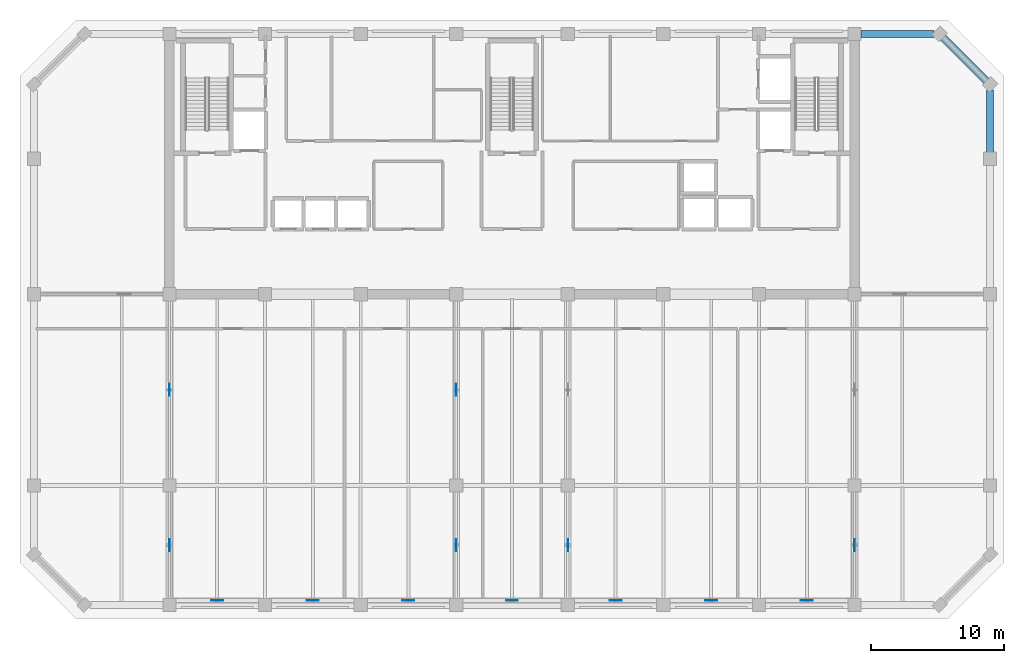
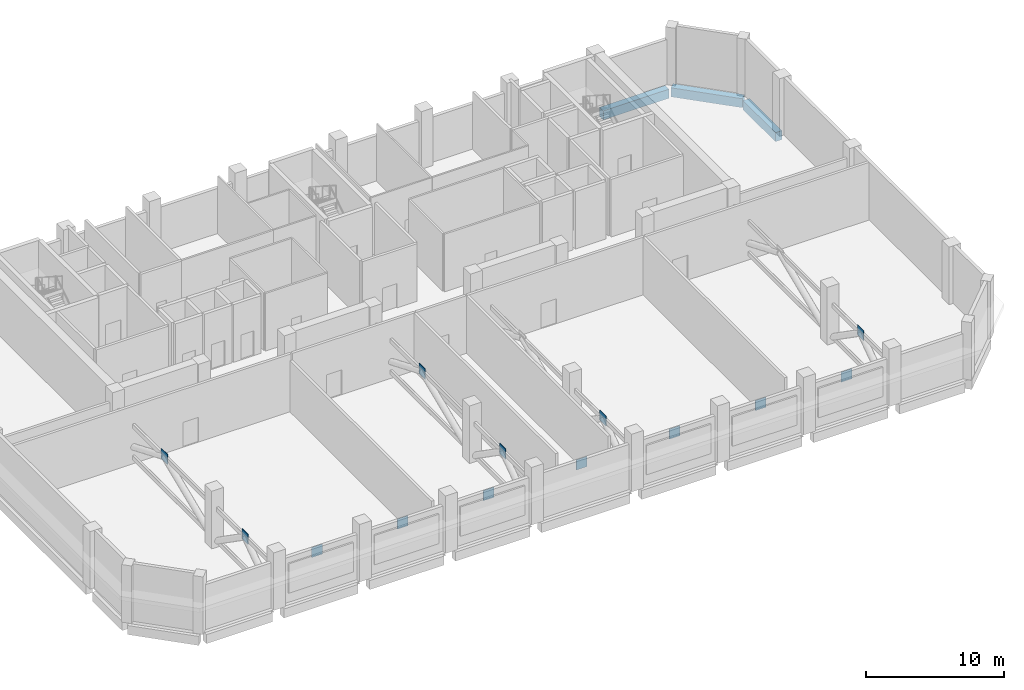
# One storey, part 3 of 11: 13 plates, 3 beams.
"""IFC4 building model written with IfcOpenShell, lengths in metres."""

from ifc_helpers import new_model, si_unit, direction, frame, origin, origin_2d, place, context, subcontext, project, spatial, rectangle, extrude, material, layer, layer_set, material_profile, profile_set, type_object, element, save


model = new_model("IFC4")

# Units and contexts
model_context = context("Model", 3, precision=1e-05, world=origin(), true_north=direction((0.0, 1.0)))
body_context = subcontext(model_context, "Body", "Model", "MODEL_VIEW")
ifc_project = project(units=[si_unit("LENGTHUNIT", "METRE"), si_unit("AREAUNIT", "SQUARE_METRE"), si_unit("VOLUMEUNIT", "CUBIC_METRE"), si_unit("PLANEANGLEUNIT", "RADIAN"), si_unit("MASSUNIT", "GRAM", prefix="KILO")], contexts=[model_context])

# Site, building, storey
site_placement = place(None, origin())
site = spatial("IfcSite", under=ifc_project, at=site_placement, CompositionType="ELEMENT")
building_placement = place(site_placement, origin())
building = spatial("IfcBuilding", under=site, at=building_placement, Name="Kaelvorn Grand Hotel", CompositionType="ELEMENT")
storey_placement = place(building_placement, frame((0.0, 0.0, 280.5)))
storey = spatial("IfcBuildingStorey", under=building, at=storey_placement, Name="L69", CompositionType="ELEMENT", Elevation=280.5)

# Beams
ifc_material_1 = material(Name="Concrete C50/60", Category="concrete")
ifc_material_profile = material_profile(ifc_material_1, rectangle(XDim=0.550048828125, YDim=0.800048828125, at=origin_2d()), Name="RC SPANDREL 550x800")
ifc_profile_set = profile_set([ifc_material_profile], Name="Concrete C50/60")
beam_type = type_object("IfcBeamType", Name="BM-SP-550x800-C50", PredefinedType="SPANDREL", material=ifc_profile_set)
beam_1_placement = place(storey_placement, frame((68.284912109375, 49.0, -0.75), z_axis=(1.0, 0.0, 0.0), x_axis=(0.0, 1.0, 0.0)))
element("IfcBeam", 1, at=beam_1_placement, inside=storey, type_object=beam_type, Name="L69 North Perimeter Spandrel 09", PredefinedType="SPANDREL", context=body_context, shape_type="SweptSolid", body=[
    extrude(rectangle(XDim=0.550048828125, YDim=0.800048828125, at=origin_2d()), origin(), (0.0, 0.0, 1.0), 5.510009765625),
])
beam_2_placement = place(storey_placement, frame((78.0, 40.0849609375, -0.75), z_axis=(0.0, 1.0, 0.0), x_axis=(-1.0, 0.0, 0.0)))
element("IfcBeam", 2, at=beam_2_placement, inside=storey, type_object=beam_type, Name="L69 East Perimeter Spandrel 04", PredefinedType="SPANDREL", context=body_context, shape_type="SweptSolid", body=[
    extrude(rectangle(XDim=0.550048828125, YDim=0.800048828125, at=origin_2d()), origin(), (0.0, 0.0, 1.0), 4.7099609375),
])
beam_3_placement = place(storey_placement, frame((78.0, 45.199951171875, -0.75), z_axis=(-0.707106781187, 0.707106781187, 0.0), x_axis=(-0.707106781187, -0.707106781187, 0.0)))
element("IfcBeam", 3, at=beam_3_placement, inside=storey, type_object=beam_type, Name="L69 Chamfer Spandrel Beam 2", PredefinedType="SPANDREL", context=body_context, shape_type="SweptSolid", body=[
    extrude(rectangle(XDim=0.550048828125, YDim=0.800048828125, at=origin_2d()), origin(), (0.0, 0.0, 1.0), 5.3740234375),
])

# Plates
ifc_material_2 = material(Name="Steel S460", Category="steel")
ifc_layer = layer(ifc_material_2, 0.0400390625)
ifc_layer_set = layer_set([ifc_layer], Name="Steel S460")
plate_type = type_object("IfcPlateType", Name="PL-GUSSET-40-S460", PredefinedType="USERDEFINED", material=ifc_layer_set)
for number, where, z_axis, x_axis, name in (
    (4, (16.199951171875, 10.5, 2.900146484375), (0.0, 0.0, 1.0), (1.0, 0.0, 0.0), "L69 Outrigger Gusset End-Cap Plate 1.1"),
    (5, (16.199951171875, 22.199951171875, 2.900146484375), (0.0, 0.0, 1.0), (1.0, 0.0, 0.0), "L69 Outrigger Gusset End-Cap Plate 1.2"),
    (6, (37.800048828125, 10.5, 2.900146484375), (0.0, 0.0, 1.0), (1.0, 0.0, 0.0), "L69 Outrigger Gusset End-Cap Plate 2.1"),
    (7, (37.800048828125, 22.199951171875, 2.900146484375), (0.0, 0.0, 1.0), (1.0, 0.0, 0.0), "L69 Outrigger Gusset End-Cap Plate 2.2"),
    (8, (46.199951171875, 10.5, 2.900146484375), (0.0, 0.0, 1.0), (1.0, 0.0, 0.0), "L69 Outrigger Gusset End-Cap Plate 3.1"),
    (9, (67.800048828125, 10.5, 2.900146484375), (0.0, 0.0, 1.0), (1.0, 0.0, 0.0), "L69 Outrigger Gusset End-Cap Plate 4.1"),
):
    element("IfcPlate", number, at=place(storey_placement, frame(where, z_axis=z_axis, x_axis=x_axis)), inside=storey, type_object=plate_type, Name=name, ObjectType="GUSSET_PLATE", PredefinedType="USERDEFINED", context=body_context, shape_type="SweptSolid", body=[
        extrude(rectangle(XDim=0.0400390625, YDim=0.89990234375, at=origin_2d()), origin(), (0.0, 0.0, 1.0), 0.89990234375),
    ])
for number, where, z_axis, x_axis, name in (
    (10, (19.800048828125, 6.340087890625, 2.900146484375), (0.0, 0.0, 1.0), (1.0, 0.0, 0.0), "L69 Belt Truss Node Gusset Plate 1"),
    (11, (27.0, 6.340087890625, 2.900146484375), (0.0, 0.0, 1.0), (1.0, 0.0, 0.0), "L69 Belt Truss Node Gusset Plate 2"),
    (12, (34.199951171875, 6.340087890625, 2.900146484375), (0.0, 0.0, 1.0), (1.0, 0.0, 0.0), "L69 Belt Truss Node Gusset Plate 3"),
    (13, (42.0, 6.340087890625, 2.900146484375), (0.0, 0.0, 1.0), (1.0, 0.0, 0.0), "L69 Belt Truss Node Gusset Plate 4"),
    (14, (49.800048828125, 6.340087890625, 2.900146484375), (0.0, 0.0, 1.0), (1.0, 0.0, 0.0), "L69 Belt Truss Node Gusset Plate 5"),
    (15, (57.0, 6.340087890625, 2.900146484375), (0.0, 0.0, 1.0), (1.0, 0.0, 0.0), "L69 Belt Truss Node Gusset Plate 6"),
    (16, (64.199951171875, 6.340087890625, 2.900146484375), (0.0, 0.0, 1.0), (1.0, 0.0, 0.0), "L69 Belt Truss Node Gusset Plate 7"),
):
    element("IfcPlate", number, at=place(storey_placement, frame(where, z_axis=z_axis, x_axis=x_axis)), inside=storey, type_object=plate_type, Name=name, ObjectType="GUSSET_PLATE", PredefinedType="USERDEFINED", context=body_context, shape_type="SweptSolid", body=[
        extrude(rectangle(XDim=0.89990234375, YDim=0.0400390625, at=origin_2d()), origin(), (0.0, 0.0, 1.0), 0.89990234375),
    ])

save(model, "model.ifc")
